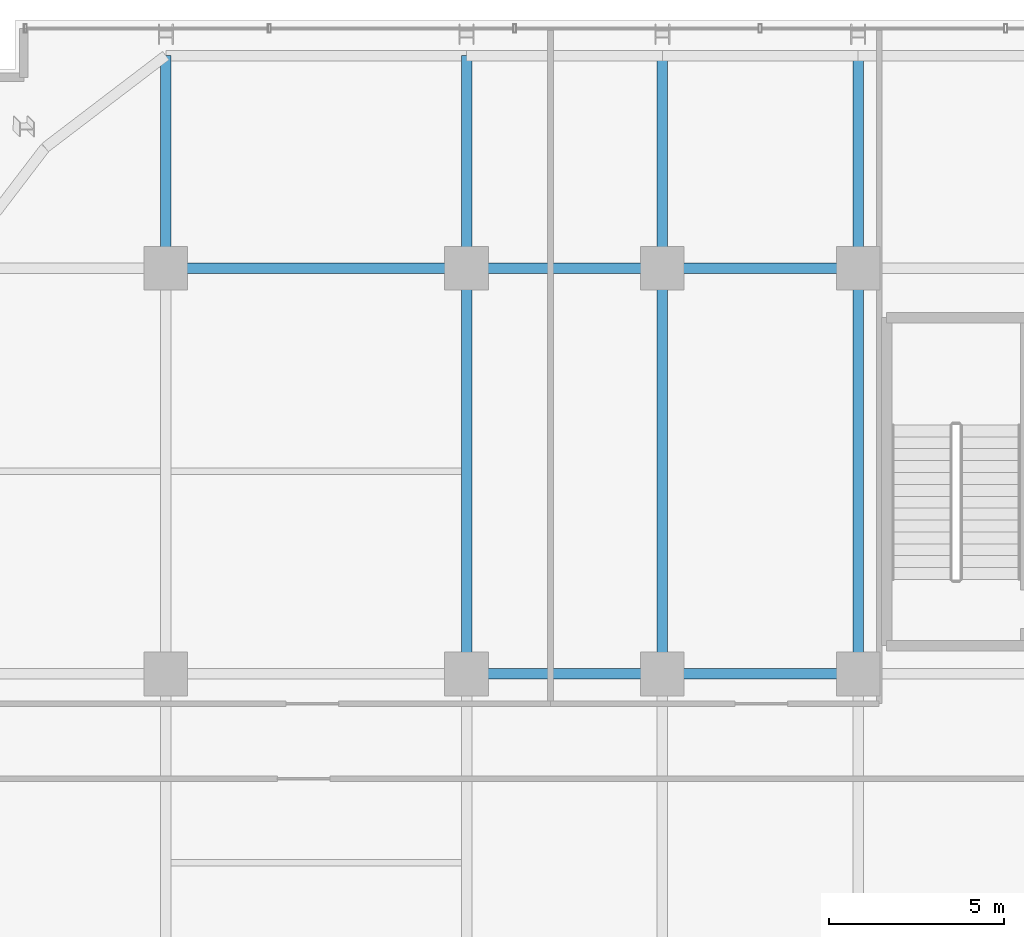
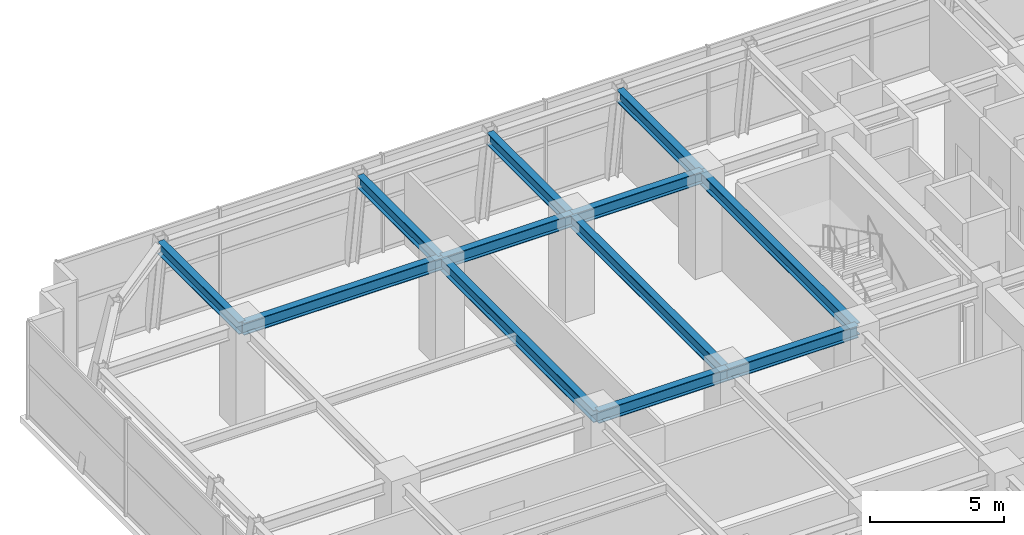
# One storey, part 13 of 26: 12 beams.
"""IFC4 building model written with IfcOpenShell, lengths in metres."""

from ifc_helpers import new_model, si_unit, direction, frame, origin, origin_2d, place, context, subcontext, project, spatial, i_section, extrude, source, transform, mapped, material, material_profile, profile_set, type_object, element, save


model = new_model("IFC4")

# Units and contexts
model_context = context("Model", 3, precision=1e-05, world=origin(), true_north=direction((0.0, 1.0)))
body_context = subcontext(model_context, "Body", "Model", "MODEL_VIEW")
ifc_project = project(units=[si_unit("LENGTHUNIT", "METRE"), si_unit("AREAUNIT", "SQUARE_METRE"), si_unit("VOLUMEUNIT", "CUBIC_METRE"), si_unit("PLANEANGLEUNIT", "RADIAN"), si_unit("MASSUNIT", "GRAM", prefix="KILO")], contexts=[model_context])

# Site, building, storey
site_placement = place(None, origin())
site = spatial("IfcSite", under=ifc_project, at=site_placement, CompositionType="ELEMENT")
building_placement = place(site_placement, origin())
building = spatial("IfcBuilding", under=site, at=building_placement, Name="Nahalor Promenade Grand Hotel", CompositionType="ELEMENT")
storey_placement = place(building_placement, frame((0.0, 0.0, 139.39990234375)))
storey = spatial("IfcBuildingStorey", under=building, at=storey_placement, Name="L35", CompositionType="ELEMENT", Elevation=139.39990234375)

# Beams
ifc_material = material(Name="Steel S355JR", Category="steel")
ifc_material_profile = material_profile(ifc_material, i_section(OverallWidth=0.3, OverallDepth=0.55, WebThickness=0.015, FlangeThickness=0.029, at=origin_2d()), Name="HEB 550")
ifc_profile_set = profile_set([ifc_material_profile], Name="Steel S355JR")
beam_type = type_object("IfcBeamType", Name="Beam-Girder-HEB550", PredefinedType="BEAM", material=ifc_profile_set)
shared_shape_1 = source(origin(), body_context, "Body", "SweptSolid", [
    extrude(i_section(OverallWidth=0.3, OverallDepth=0.55, WebThickness=0.015, FlangeThickness=0.029, at=origin_2d()), origin(), (0.0, 0.0, 1.0), 8.60009765625),
])
beam_placement = place(storey_placement, frame((-17.0, 17.0, 4.1650390625), z_axis=(1.0, 0.0, 0.0), x_axis=(0.0, 1.0, 0.0)))
element("IfcBeam", 1, at=beam_placement, inside=storey, type_object=beam_type, Name="BM-L35-GX-3-1", PredefinedType="BEAM", context=body_context, shape_type="MappedRepresentation", body=[
    mapped(shared_shape_1, transform((0.0, 0.0, 0.0), scale=1.0)),
])
shared_shape_2 = source(origin(), body_context, "Body", "SweptSolid", [
    extrude(i_section(OverallWidth=0.3, OverallDepth=0.55, WebThickness=0.015, FlangeThickness=0.029, at=origin_2d()), origin(), (0.0, 0.0, 1.0), 5.599853515625),
])
for number, where, z_axis, x_axis, name in (
    (2, (-8.39990234375, 5.39990234375, 4.1650390625), (1.0, 0.0, 0.0), (0.0, 1.0, 0.0), "BM-L35-GX-2-2"),
    (3, (-8.39990234375, 17.0, 4.1650390625), (1.0, 0.0, 0.0), (0.0, 1.0, 0.0), "BM-L35-GX-3-2"),
):
    element("IfcBeam", number, at=place(storey_placement, frame(where, z_axis=z_axis, x_axis=x_axis)), inside=storey, type_object=beam_type, Name=name, PredefinedType="BEAM", context=body_context, shape_type="MappedRepresentation", body=[
        mapped(shared_shape_2, transform((0.0, 0.0, 0.0), scale=1.0)),
    ])
shared_shape_3 = source(origin(), body_context, "Body", "SweptSolid", [
    extrude(i_section(OverallWidth=0.3, OverallDepth=0.55, WebThickness=0.015, FlangeThickness=0.029, at=origin_2d()), origin(), (0.0, 0.0, 1.0), 5.60009765625),
])
for number, where, z_axis, x_axis, name in (
    (4, (-2.800048828125, 5.39990234375, 4.1650390625), (1.0, 0.0, 0.0), (0.0, 1.0, 0.0), "BM-L35-GX-2-3"),
    (5, (-2.800048828125, 17.0, 4.1650390625), (1.0, 0.0, 0.0), (0.0, 1.0, 0.0), "BM-L35-GX-3-3"),
):
    element("IfcBeam", number, at=place(storey_placement, frame(where, z_axis=z_axis, x_axis=x_axis)), inside=storey, type_object=beam_type, Name=name, PredefinedType="BEAM", context=body_context, shape_type="MappedRepresentation", body=[
        mapped(shared_shape_3, transform((0.0, 0.0, 0.0), scale=1.0)),
    ])
shared_shape_4 = source(origin(), body_context, "Body", "SweptSolid", [
    extrude(i_section(OverallWidth=0.3, OverallDepth=0.55, WebThickness=0.015, FlangeThickness=0.029, at=origin_2d()), origin(), (0.0, 0.0, 1.0), 11.60009765625),
])
for number, where, z_axis, x_axis, name in (
    (6, (-8.39990234375, 5.39990234375, 4.1650390625), (0.0, 1.0, 0.0), (-1.0, 0.0, 0.0), "BM-L35-GY-1-3"),
    (7, (-2.800048828125, 5.39990234375, 4.1650390625), (0.0, 1.0, 0.0), (-1.0, 0.0, 0.0), "BM-L35-GY-2-3"),
    (8, (2.800048828125, 5.39990234375, 4.1650390625), (0.0, 1.0, 0.0), (-1.0, 0.0, 0.0), "BM-L35-GY-3-3"),
):
    element("IfcBeam", number, at=place(storey_placement, frame(where, z_axis=z_axis, x_axis=x_axis)), inside=storey, type_object=beam_type, Name=name, PredefinedType="BEAM", context=body_context, shape_type="MappedRepresentation", body=[
        mapped(shared_shape_4, transform((0.0, 0.0, 0.0), scale=1.0)),
    ])
shared_shape_5 = source(origin(), body_context, "Body", "SweptSolid", [
    extrude(i_section(OverallWidth=0.3, OverallDepth=0.55, WebThickness=0.015, FlangeThickness=0.029, at=origin_2d()), origin(), (0.0, 0.0, 1.0), 6.080078125),
])
for number, where, z_axis, x_axis, name in (
    (9, (-17.0, 17.0, 4.1650390625), (0.0, 1.0, 0.0), (-1.0, 0.0, 0.0), "BM-L35-GY-0-4"),
    (10, (-8.39990234375, 17.0, 4.1650390625), (0.0, 1.0, 0.0), (-1.0, 0.0, 0.0), "BM-L35-GY-1-4"),
    (11, (-2.800048828125, 17.0, 4.1650390625), (0.0, 1.0, 0.0), (-1.0, 0.0, 0.0), "BM-L35-GY-2-4"),
    (12, (2.800048828125, 17.0, 4.1650390625), (0.0, 1.0, 0.0), (-1.0, 0.0, 0.0), "BM-L35-GY-3-4"),
):
    element("IfcBeam", number, at=place(storey_placement, frame(where, z_axis=z_axis, x_axis=x_axis)), inside=storey, type_object=beam_type, Name=name, PredefinedType="BEAM", context=body_context, shape_type="MappedRepresentation", body=[
        mapped(shared_shape_5, transform((0.0, 0.0, 0.0), scale=1.0)),
    ])

save(model, "model.ifc")
